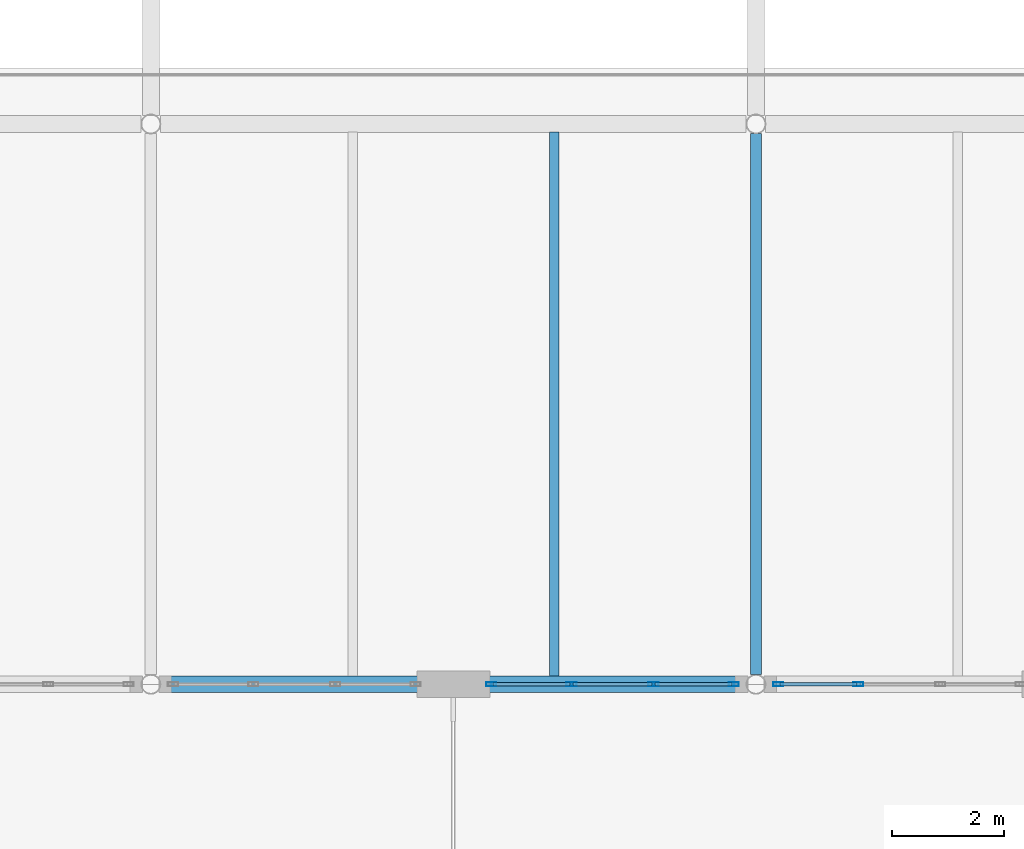
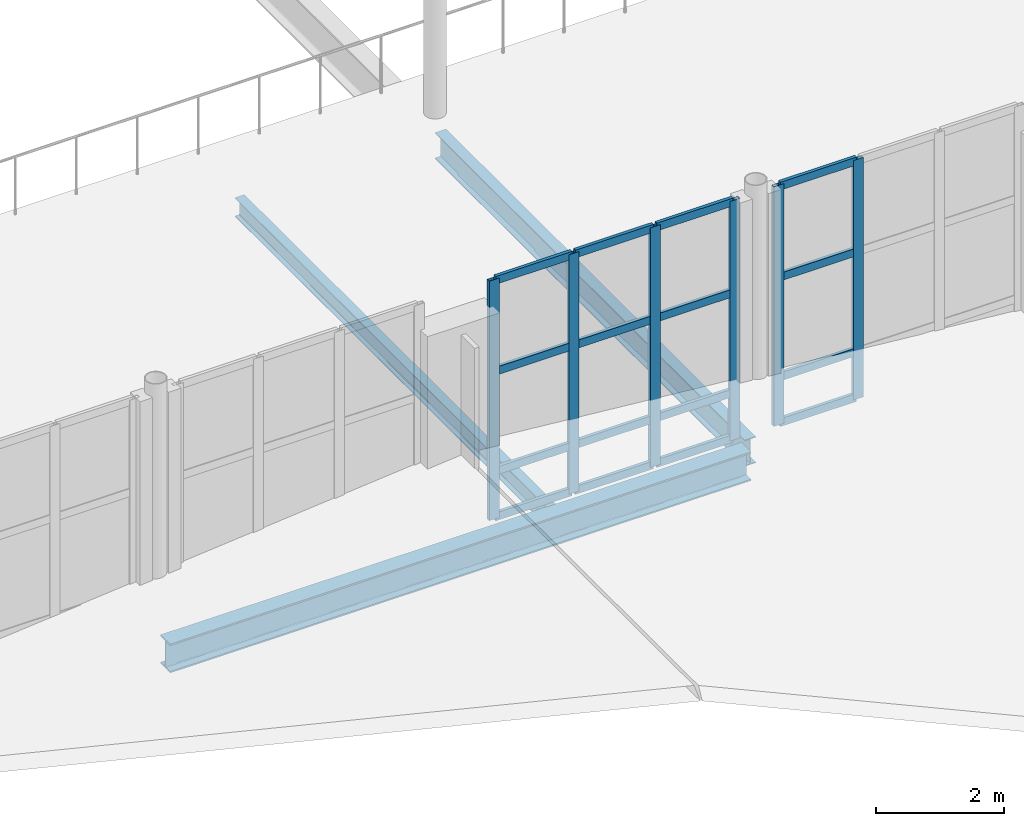
# One storey, part 33 of 92: 22 members, 3 beams, 2 elements without a shape of their own.
"""IFC4 building model written with IfcOpenShell, lengths in metres."""

from ifc_helpers import new_model, si_unit, direction, frame, origin, origin_2d, place, context, subcontext, project, spatial, hollow_rectangle, i_section, extrude, material, layer, layer_set, material_profile, profile_set, type_object, element, aggregate, save


model = new_model("IFC4")

# Units and contexts
model_context = context("Model", 3, precision=1e-05, world=origin(), true_north=direction((0.0, 1.0)))
body_context = subcontext(model_context, "Body", "Model", "MODEL_VIEW")
ifc_project = project(units=[si_unit("LENGTHUNIT", "METRE"), si_unit("AREAUNIT", "SQUARE_METRE"), si_unit("VOLUMEUNIT", "CUBIC_METRE"), si_unit("PLANEANGLEUNIT", "RADIAN"), si_unit("MASSUNIT", "GRAM", prefix="KILO")], contexts=[model_context])

# Site, building, storey
site_placement = place(None, origin())
site = spatial("IfcSite", under=ifc_project, at=site_placement, CompositionType="ELEMENT")
building_placement = place(site_placement, origin())
building = spatial("IfcBuilding", under=site, at=building_placement, Name="Tasgan Crest Museum", CompositionType="ELEMENT")
storey_placement = place(building_placement, frame((0.0, 0.0, 4.800048828125)))
storey = spatial("IfcBuildingStorey", under=building, at=storey_placement, Name="L01", CompositionType="ELEMENT", Elevation=4.800048828125)

# Beams
ifc_material_1 = material(Name="Steel S355K2", Category="steel")
ifc_material_profile_1 = material_profile(ifc_material_1, i_section(OverallWidth=0.300048828125, OverallDepth=0.550048828125, WebThickness=0.014892578125, FlangeThickness=0.029052734375, FilletRadius=0.027099609375, at=origin_2d()), Name="HEB 550")
ifc_profile_set_1 = profile_set([ifc_material_profile_1], Name="Steel S355K2")
beam_type_1 = type_object("IfcBeamType", Name="BM-G-HEB550", PredefinedType="BEAM", material=ifc_profile_set_1)
beam_1_placement = place(storey_placement, frame((75.773681640625, 40.0, -0.51513671875), z_axis=(1.0, 0.0, 0.0), x_axis=(0.0, 1.0, 0.0)))
element("IfcBeam", 1, at=beam_1_placement, inside=storey, type_object=beam_type_1, Name="Girder L01 E 75.6-86.4", PredefinedType="BEAM", context=body_context, shape_type="SweptSolid", body=[
    extrude(i_section(OverallWidth=0.300048828125, OverallDepth=0.550048828125, WebThickness=0.014892578125, FlangeThickness=0.029052734375, FilletRadius=0.027099609375, at=origin_2d()), origin(), (0.0, 0.0, 1.0), 10.45263671875),
])
ifc_material_2 = material(Name="Steel S355J2", Category="steel")
ifc_material_profile_2 = material_profile(ifc_material_2, i_section(OverallWidth=0.199951171875, OverallDepth=0.5, WebThickness=0.01025390625, FlangeThickness=0.01611328125, FilletRadius=0.02099609375, at=origin_2d()), Name="IPE 500")
ifc_profile_set_2 = profile_set([ifc_material_profile_2], Name="Steel S355J2")
beam_type_2 = type_object("IfcBeamType", Name="BM-G-IPE500", PredefinedType="BEAM", material=ifc_profile_set_2)
beam_2_placement = place(storey_placement, frame((86.39990234375, 40.1728515625, -0.489990234375), z_axis=(0.0, 1.0, 0.0), x_axis=(-1.0, 0.0, 0.0)))
element("IfcBeam", 2, at=beam_2_placement, inside=storey, type_object=beam_type_2, Name="Beam L01 9 40.0-50.0", PredefinedType="BEAM", context=body_context, shape_type="SweptSolid", body=[
    extrude(i_section(OverallWidth=0.199951171875, OverallDepth=0.5, WebThickness=0.01025390625, FlangeThickness=0.01611328125, FilletRadius=0.02099609375, at=origin_2d()), origin(), (0.0, 0.0, 1.0), 9.654296875),
])
ifc_material_3 = material(Name="Steel S355J2", Category="steel")
ifc_material_profile_3 = material_profile(ifc_material_3, i_section(OverallWidth=0.169921875, OverallDepth=0.360107421875, WebThickness=0.008056640625, FlangeThickness=0.0126953125, FilletRadius=0.01806640625, at=origin_2d()), Name="IPE 360")
ifc_profile_set_3 = profile_set([ifc_material_profile_3], Name="Steel S355J2")
beam_type_3 = type_object("IfcBeamType", Name="BM-J-IPE360", PredefinedType="JOIST", material=ifc_profile_set_3)
beam_3_placement = place(storey_placement, frame((82.800048828125, 40.14501953125, -0.420166015625), z_axis=(0.0, 1.0, 0.0), x_axis=(-1.0, 0.0, 0.0)))
element("IfcBeam", 3, at=beam_3_placement, inside=storey, type_object=beam_type_3, Name="Secondary joist L01 X=82.8 Y=40.0-50.0", PredefinedType="JOIST", context=body_context, shape_type="SweptSolid", body=[
    extrude(i_section(OverallWidth=0.169921875, OverallDepth=0.360107421875, WebThickness=0.008056640625, FlangeThickness=0.0126953125, FilletRadius=0.01806640625, at=origin_2d()), origin(), (0.0, 0.0, 1.0), 9.7099609375),
])

# Curtain wall, members
ifc_material_4 = material(Name="Triple-Glazed Aluminium Curtain Wall", Category="aluminium")
ifc_layer = layer(ifc_material_4, 0.179931640625, Name="CW-DRUM-X-48")
ifc_layer_set = layer_set([ifc_layer], Name="Triple-Glazed Aluminium Curtain Wall")
curtain_wall_type = type_object("IfcCurtainWallType", Name="CW-DRUM-X-48", PredefinedType="NOTDEFINED", material=ifc_layer_set)
curtain_wall_1_placement = place(storey_placement, origin())
curtain_wall_1 = element("IfcCurtainWall", 4, at=curtain_wall_1_placement, inside=storey, type_object=curtain_wall_type, Name="Curtain wall L01 032", PredefinedType="NOTDEFINED")
ifc_material_5 = material(Name="Anodised Aluminium", Category="aluminium")
ifc_material_profile_4 = material_profile(ifc_material_5, hollow_rectangle(XDim=0.06494140625, YDim=0.179931640625, WallThickness=0.0048828125, at=origin_2d()), Name="ALU MULLION 180x65x5")
ifc_profile_set_4 = profile_set([ifc_material_profile_4], Name="Anodised Aluminium")
member_type_1 = type_object("IfcMemberType", Name="CW-MULLION-180", PredefinedType="MULLION", material=ifc_profile_set_4)
member_1_placement = place(storey_placement, frame((81.675048828125, 40.0, 0.0), z_axis=(0.0, 0.0, 1.0), x_axis=(0.0, 1.0, 0.0)))
member_1 = element("IfcMember", 5, at=member_1_placement, type_object=member_type_1, Name="CW03 mullion 1", PredefinedType="MULLION", context=body_context, shape_type="SweptSolid", body=[
    extrude(hollow_rectangle(XDim=0.06494140625, YDim=0.179931640625, WallThickness=0.0048828125, at=origin_2d()), origin(), (0.0, 0.0, 1.0), 4.56005859375),
])
member_2_placement = place(storey_placement, frame((83.1083984375, 40.0, 0.0), z_axis=(0.0, 0.0, 1.0), x_axis=(0.0, 1.0, 0.0)))
member_2 = element("IfcMember", 6, at=member_2_placement, type_object=member_type_1, Name="CW03 mullion 2", PredefinedType="MULLION", context=body_context, shape_type="SweptSolid", body=[
    extrude(hollow_rectangle(XDim=0.06494140625, YDim=0.179931640625, WallThickness=0.0048828125, at=origin_2d()), origin(), (0.0, 0.0, 1.0), 4.56005859375),
])
member_3_placement = place(storey_placement, frame((84.57177734375, 40.0, 0.0), z_axis=(0.0, 0.0, 1.0), x_axis=(0.0, 1.0, 0.0)))
member_3 = element("IfcMember", 7, at=member_3_placement, type_object=member_type_1, Name="CW03 mullion 3", PredefinedType="MULLION", context=body_context, shape_type="SweptSolid", body=[
    extrude(hollow_rectangle(XDim=0.06494140625, YDim=0.179931640625, WallThickness=0.0048828125, at=origin_2d()), origin(), (0.0, 0.0, 1.0), 4.56005859375),
])
member_4_placement = place(storey_placement, frame((86.0048828125, 40.0, 0.0), z_axis=(0.0, 0.0, 1.0), x_axis=(0.0, 1.0, 0.0)))
member_4 = element("IfcMember", 8, at=member_4_placement, type_object=member_type_1, Name="CW03 mullion 4", PredefinedType="MULLION", context=body_context, shape_type="SweptSolid", body=[
    extrude(hollow_rectangle(XDim=0.06494140625, YDim=0.179931640625, WallThickness=0.0048828125, at=origin_2d()), origin(), (0.0, 0.0, 1.0), 4.56005859375),
])

curtain_wall_2_placement = place(storey_placement, origin())
curtain_wall_2 = element("IfcCurtainWall", 9, at=curtain_wall_2_placement, inside=storey, type_object=curtain_wall_type, Name="Curtain wall L01 033", PredefinedType="NOTDEFINED")
member_5_placement = place(storey_placement, frame((86.794921875, 40.0, 0.0), z_axis=(0.0, 0.0, 1.0), x_axis=(0.0, 1.0, 0.0)))
member_5 = element("IfcMember", 10, at=member_5_placement, type_object=member_type_1, Name="CW03 mullion 1", PredefinedType="MULLION", context=body_context, shape_type="SweptSolid", body=[
    extrude(hollow_rectangle(XDim=0.06494140625, YDim=0.179931640625, WallThickness=0.0048828125, at=origin_2d()), origin(), (0.0, 0.0, 1.0), 4.56005859375),
])
member_6_placement = place(storey_placement, frame((88.228271484375, 40.0, 0.0), z_axis=(0.0, 0.0, 1.0), x_axis=(0.0, 1.0, 0.0)))
member_6 = element("IfcMember", 11, at=member_6_placement, type_object=member_type_1, Name="CW03 mullion 2", PredefinedType="MULLION", context=body_context, shape_type="SweptSolid", body=[
    extrude(hollow_rectangle(XDim=0.06494140625, YDim=0.179931640625, WallThickness=0.0048828125, at=origin_2d()), origin(), (0.0, 0.0, 1.0), 4.56005859375),
])

# Member
ifc_material_6 = material(Name="Anodised Aluminium", Category="aluminium")
ifc_material_profile_5 = material_profile(ifc_material_6, hollow_rectangle(XDim=0.06005859375, YDim=0.14990234375, WallThickness=0.0048828125, at=origin_2d()), Name="ALU TRANSOM 150x60x5")
ifc_profile_set_5 = profile_set([ifc_material_profile_5], Name="Anodised Aluminium")
member_type_2 = type_object("IfcMemberType", Name="CW-TRANSOM-150", PredefinedType="USERDEFINED", material=ifc_profile_set_5)
member_7_placement = place(storey_placement, frame((81.705078125, 40.0, 0.030029296875), z_axis=(1.0, 0.0, 0.0), x_axis=(0.0, 1.0, 0.0)))
member_7 = element("IfcMember", 12, at=member_7_placement, type_object=member_type_2, Name="CW03 transom 1.1", ObjectType="TRANSOM", PredefinedType="USERDEFINED", context=body_context, shape_type="SweptSolid", body=[
    extrude(hollow_rectangle(XDim=0.06005859375, YDim=0.14990234375, WallThickness=0.0048828125, at=origin_2d()), origin(), (0.0, 0.0, 1.0), 1.373291015625),
])

member_8_placement = place(storey_placement, frame((81.705078125, 40.0, 0.89990234375), z_axis=(1.0, 0.0, 0.0), x_axis=(0.0, 1.0, 0.0)))
member_8 = element("IfcMember", 13, at=member_8_placement, type_object=member_type_2, Name="CW03 transom 1.2", ObjectType="TRANSOM", PredefinedType="USERDEFINED", context=body_context, shape_type="SweptSolid", body=[
    extrude(hollow_rectangle(XDim=0.06005859375, YDim=0.14990234375, WallThickness=0.0048828125, at=origin_2d()), origin(), (0.0, 0.0, 1.0), 1.373291015625),
])

member_9_placement = place(storey_placement, frame((81.705078125, 40.0, 2.800048828125), z_axis=(1.0, 0.0, 0.0), x_axis=(0.0, 1.0, 0.0)))
member_9 = element("IfcMember", 14, at=member_9_placement, type_object=member_type_2, Name="CW03 transom 1.3", ObjectType="TRANSOM", PredefinedType="USERDEFINED", context=body_context, shape_type="SweptSolid", body=[
    extrude(hollow_rectangle(XDim=0.06005859375, YDim=0.14990234375, WallThickness=0.0048828125, at=origin_2d()), origin(), (0.0, 0.0, 1.0), 1.373291015625),
])

member_10_placement = place(storey_placement, frame((81.705078125, 40.0, 4.530029296875), z_axis=(1.0, 0.0, 0.0), x_axis=(0.0, 1.0, 0.0)))
member_10 = element("IfcMember", 15, at=member_10_placement, type_object=member_type_2, Name="CW03 transom 1.4", ObjectType="TRANSOM", PredefinedType="USERDEFINED", context=body_context, shape_type="SweptSolid", body=[
    extrude(hollow_rectangle(XDim=0.06005859375, YDim=0.14990234375, WallThickness=0.0048828125, at=origin_2d()), origin(), (0.0, 0.0, 1.0), 1.373291015625),
])

member_11_placement = place(storey_placement, frame((83.138427734375, 40.0, 0.030029296875), z_axis=(1.0, 0.0, 0.0), x_axis=(0.0, 1.0, 0.0)))
member_11 = element("IfcMember", 16, at=member_11_placement, type_object=member_type_2, Name="CW03 transom 2.1", ObjectType="TRANSOM", PredefinedType="USERDEFINED", context=body_context, shape_type="SweptSolid", body=[
    extrude(hollow_rectangle(XDim=0.06005859375, YDim=0.14990234375, WallThickness=0.0048828125, at=origin_2d()), origin(), (0.0, 0.0, 1.0), 1.4033203125),
])

member_12_placement = place(storey_placement, frame((83.138427734375, 40.0, 0.89990234375), z_axis=(1.0, 0.0, 0.0), x_axis=(0.0, 1.0, 0.0)))
member_12 = element("IfcMember", 17, at=member_12_placement, type_object=member_type_2, Name="CW03 transom 2.2", ObjectType="TRANSOM", PredefinedType="USERDEFINED", context=body_context, shape_type="SweptSolid", body=[
    extrude(hollow_rectangle(XDim=0.06005859375, YDim=0.14990234375, WallThickness=0.0048828125, at=origin_2d()), origin(), (0.0, 0.0, 1.0), 1.4033203125),
])

member_13_placement = place(storey_placement, frame((83.138427734375, 40.0, 2.800048828125), z_axis=(1.0, 0.0, 0.0), x_axis=(0.0, 1.0, 0.0)))
member_13 = element("IfcMember", 18, at=member_13_placement, type_object=member_type_2, Name="CW03 transom 2.3", ObjectType="TRANSOM", PredefinedType="USERDEFINED", context=body_context, shape_type="SweptSolid", body=[
    extrude(hollow_rectangle(XDim=0.06005859375, YDim=0.14990234375, WallThickness=0.0048828125, at=origin_2d()), origin(), (0.0, 0.0, 1.0), 1.4033203125),
])

member_14_placement = place(storey_placement, frame((83.138427734375, 40.0, 4.530029296875), z_axis=(1.0, 0.0, 0.0), x_axis=(0.0, 1.0, 0.0)))
member_14 = element("IfcMember", 19, at=member_14_placement, type_object=member_type_2, Name="CW03 transom 2.4", ObjectType="TRANSOM", PredefinedType="USERDEFINED", context=body_context, shape_type="SweptSolid", body=[
    extrude(hollow_rectangle(XDim=0.06005859375, YDim=0.14990234375, WallThickness=0.0048828125, at=origin_2d()), origin(), (0.0, 0.0, 1.0), 1.4033203125),
])

member_15_placement = place(storey_placement, frame((84.6015625, 40.0, 0.030029296875), z_axis=(1.0, 0.0, 0.0), x_axis=(0.0, 1.0, 0.0)))
member_15 = element("IfcMember", 20, at=member_15_placement, type_object=member_type_2, Name="CW03 transom 3.1", ObjectType="TRANSOM", PredefinedType="USERDEFINED", context=body_context, shape_type="SweptSolid", body=[
    extrude(hollow_rectangle(XDim=0.06005859375, YDim=0.14990234375, WallThickness=0.0048828125, at=origin_2d()), origin(), (0.0, 0.0, 1.0), 1.37353515625),
])

member_16_placement = place(storey_placement, frame((84.6015625, 40.0, 0.89990234375), z_axis=(1.0, 0.0, 0.0), x_axis=(0.0, 1.0, 0.0)))
member_16 = element("IfcMember", 21, at=member_16_placement, type_object=member_type_2, Name="CW03 transom 3.2", ObjectType="TRANSOM", PredefinedType="USERDEFINED", context=body_context, shape_type="SweptSolid", body=[
    extrude(hollow_rectangle(XDim=0.06005859375, YDim=0.14990234375, WallThickness=0.0048828125, at=origin_2d()), origin(), (0.0, 0.0, 1.0), 1.37353515625),
])

member_17_placement = place(storey_placement, frame((84.6015625, 40.0, 2.800048828125), z_axis=(1.0, 0.0, 0.0), x_axis=(0.0, 1.0, 0.0)))
member_17 = element("IfcMember", 22, at=member_17_placement, type_object=member_type_2, Name="CW03 transom 3.3", ObjectType="TRANSOM", PredefinedType="USERDEFINED", context=body_context, shape_type="SweptSolid", body=[
    extrude(hollow_rectangle(XDim=0.06005859375, YDim=0.14990234375, WallThickness=0.0048828125, at=origin_2d()), origin(), (0.0, 0.0, 1.0), 1.37353515625),
])

member_18_placement = place(storey_placement, frame((84.6015625, 40.0, 4.530029296875), z_axis=(1.0, 0.0, 0.0), x_axis=(0.0, 1.0, 0.0)))
member_18 = element("IfcMember", 23, at=member_18_placement, type_object=member_type_2, Name="CW03 transom 3.4", ObjectType="TRANSOM", PredefinedType="USERDEFINED", context=body_context, shape_type="SweptSolid", body=[
    extrude(hollow_rectangle(XDim=0.06005859375, YDim=0.14990234375, WallThickness=0.0048828125, at=origin_2d()), origin(), (0.0, 0.0, 1.0), 1.37353515625),
])

aggregate(curtain_wall_1, [member_1, member_2, member_3, member_4, member_7, member_8, member_9, member_10, member_11, member_12, member_13, member_14, member_15, member_16, member_17, member_18])

member_19_placement = place(storey_placement, frame((86.824951171875, 40.0, 0.030029296875), z_axis=(1.0, 0.0, 0.0), x_axis=(0.0, 1.0, 0.0)))
member_19 = element("IfcMember", 24, at=member_19_placement, type_object=member_type_2, Name="CW03 transom 1.1", ObjectType="TRANSOM", PredefinedType="USERDEFINED", context=body_context, shape_type="SweptSolid", body=[
    extrude(hollow_rectangle(XDim=0.06005859375, YDim=0.14990234375, WallThickness=0.0048828125, at=origin_2d()), origin(), (0.0, 0.0, 1.0), 1.373291015625),
])

member_20_placement = place(storey_placement, frame((86.824951171875, 40.0, 0.89990234375), z_axis=(1.0, 0.0, 0.0), x_axis=(0.0, 1.0, 0.0)))
member_20 = element("IfcMember", 25, at=member_20_placement, type_object=member_type_2, Name="CW03 transom 1.2", ObjectType="TRANSOM", PredefinedType="USERDEFINED", context=body_context, shape_type="SweptSolid", body=[
    extrude(hollow_rectangle(XDim=0.06005859375, YDim=0.14990234375, WallThickness=0.0048828125, at=origin_2d()), origin(), (0.0, 0.0, 1.0), 1.373291015625),
])

member_21_placement = place(storey_placement, frame((86.824951171875, 40.0, 2.800048828125), z_axis=(1.0, 0.0, 0.0), x_axis=(0.0, 1.0, 0.0)))
member_21 = element("IfcMember", 26, at=member_21_placement, type_object=member_type_2, Name="CW03 transom 1.3", ObjectType="TRANSOM", PredefinedType="USERDEFINED", context=body_context, shape_type="SweptSolid", body=[
    extrude(hollow_rectangle(XDim=0.06005859375, YDim=0.14990234375, WallThickness=0.0048828125, at=origin_2d()), origin(), (0.0, 0.0, 1.0), 1.373291015625),
])

member_22_placement = place(storey_placement, frame((86.824951171875, 40.0, 4.530029296875), z_axis=(1.0, 0.0, 0.0), x_axis=(0.0, 1.0, 0.0)))
member_22 = element("IfcMember", 27, at=member_22_placement, type_object=member_type_2, Name="CW03 transom 1.4", ObjectType="TRANSOM", PredefinedType="USERDEFINED", context=body_context, shape_type="SweptSolid", body=[
    extrude(hollow_rectangle(XDim=0.06005859375, YDim=0.14990234375, WallThickness=0.0048828125, at=origin_2d()), origin(), (0.0, 0.0, 1.0), 1.373291015625),
])

aggregate(curtain_wall_2, [member_5, member_6, member_19, member_20, member_21, member_22])

save(model, "model.ifc")
